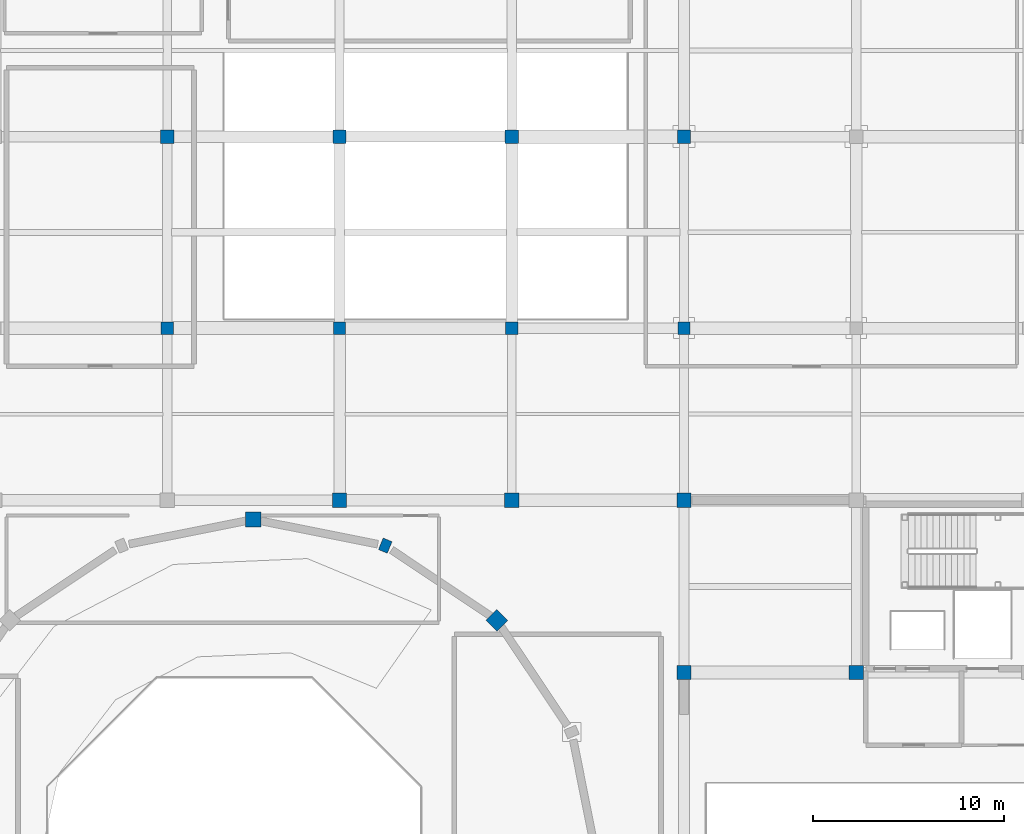
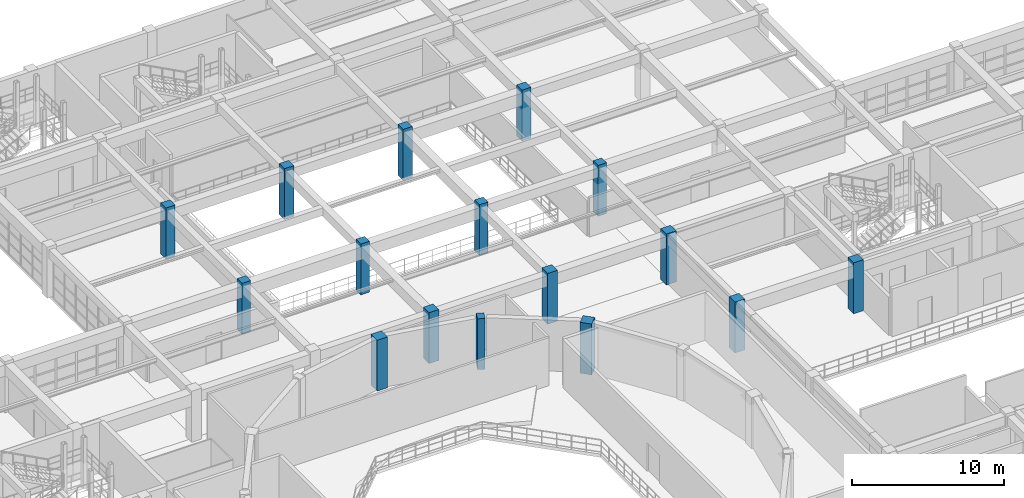
# One storey, part 11 of 130: 16 columns.
"""IFC4 building model written with IfcOpenShell, lengths in metres."""

from ifc_helpers import new_model, si_unit, direction, frame, origin, origin_2d, place, context, subcontext, project, spatial, rectangle, extrude, material, material_profile, profile_set, type_object, element, save


model = new_model("IFC4")

# Units and contexts
model_context = context("Model", 3, precision=1e-05, world=origin(), true_north=direction((0.0, 1.0)))
body_context = subcontext(model_context, "Body", "Model", "MODEL_VIEW")
ifc_project = project(units=[si_unit("LENGTHUNIT", "METRE"), si_unit("AREAUNIT", "SQUARE_METRE"), si_unit("VOLUMEUNIT", "CUBIC_METRE"), si_unit("PLANEANGLEUNIT", "RADIAN"), si_unit("MASSUNIT", "GRAM", prefix="KILO")], contexts=[model_context])

# Site, building, storey
site_placement = place(None, origin())
site = spatial("IfcSite", under=ifc_project, at=site_placement, CompositionType="ELEMENT")
building_placement = place(site_placement, origin())
building = spatial("IfcBuilding", under=site, at=building_placement, Name="Miravela Opera House", CompositionType="ELEMENT")
storey_placement = place(building_placement, frame((0.0, 0.0, 9.52001953125)))
storey = spatial("IfcBuildingStorey", under=building, at=storey_placement, Name="L02", CompositionType="ELEMENT", Elevation=9.52001953125)

# Columns
ifc_material_1 = material(Name="Concrete C35/45", Category="concrete")
ifc_material_profile_1 = material_profile(ifc_material_1, rectangle(XDim=0.64990234375, YDim=0.64990234375, at=origin_2d()), Name="RC-COL-650X650")
ifc_profile_set_1 = profile_set([ifc_material_profile_1])
column_type_1 = type_object("IfcColumnType", Name="STR-COL-RC650", PredefinedType="COLUMN", material=ifc_profile_set_1)
for number, where, z_axis, x_axis, name in (
    (1, (81.0, 84.0, 0.0), (0.0, 0.0, 1.0), (1.0, 0.0, 0.0), "Column C-10J (L02)"),
    (2, (90.0, 84.0, 0.0), (0.0, 0.0, 1.0), (1.0, 0.0, 0.0), "Column C-11J (L02)"),
    (3, (99.0, 84.0, 0.0), (0.0, 0.0, 1.0), (1.0, 0.0, 0.0), "Column C-12J (L02)"),
    (4, (72.0, 84.0, 0.0), (0.0, 0.0, 1.0), (1.0, 0.0, 0.0), "Column C-9J (L02)"),
):
    element("IfcColumn", number, at=place(storey_placement, frame(where, z_axis=z_axis, x_axis=x_axis)), inside=storey, type_object=column_type_1, Name=name, PredefinedType="COLUMN", context=body_context, shape_type="SweptSolid", body=[
        extrude(rectangle(XDim=0.64990234375, YDim=0.64990234375, at=origin_2d()), origin(), (0.0, 0.0, 1.0), 4.080078125),
    ])
ifc_material_profile_2 = material_profile(ifc_material_1, rectangle(XDim=0.699951171875, YDim=0.699951171875, at=origin_2d()), Name="RC-COL-700X700")
ifc_profile_set_2 = profile_set([ifc_material_profile_2])
column_type_2 = type_object("IfcColumnType", Name="STR-COL-RC700", PredefinedType="COLUMN", material=ifc_profile_set_2)
for number, where, z_axis, x_axis, name in (
    (5, (81.0, 94.0, 0.0), (0.0, 0.0, 1.0), (1.0, 0.0, 0.0), "Column C-10K (L02)"),
    (6, (90.0, 94.0, 0.0), (0.0, 0.0, 1.0), (1.0, 0.0, 0.0), "Column C-11K (L02)"),
    (7, (99.0, 94.0, 0.0), (0.0, 0.0, 1.0), (1.0, 0.0, 0.0), "Column C-12K (L02)"),
    (8, (72.0, 94.0, 0.0), (0.0, 0.0, 1.0), (1.0, 0.0, 0.0), "Column C-9K (L02)"),
):
    element("IfcColumn", number, at=place(storey_placement, frame(where, z_axis=z_axis, x_axis=x_axis)), inside=storey, type_object=column_type_2, Name=name, PredefinedType="COLUMN", context=body_context, shape_type="SweptSolid", body=[
        extrude(rectangle(XDim=0.699951171875, YDim=0.699951171875, at=origin_2d()), origin(), (0.0, 0.0, 1.0), 4.080078125),
    ])
ifc_material_profile_3 = material_profile(ifc_material_1, rectangle(XDim=0.75, YDim=0.75, at=origin_2d()), Name="RC-COL-750X750")
ifc_profile_set_3 = profile_set([ifc_material_profile_3])
column_type_3 = type_object("IfcColumnType", Name="STR-COL-RC750", PredefinedType="COLUMN", material=ifc_profile_set_3)
for number, where, z_axis, x_axis, name in (
    (9, (81.0, 75.0, 0.0), (0.0, 0.0, 1.0), (1.0, 0.0, 0.0), "Column C-10I (L02)"),
    (10, (90.0, 75.0, 0.0), (0.0, 0.0, 1.0), (1.0, 0.0, 0.0), "Column C-11I (L02)"),
    (11, (99.0, 66.0, 0.0), (0.0, 0.0, 1.0), (1.0, 0.0, 0.0), "Column C-12H (L02)"),
    (12, (99.0, 75.0, 0.0), (0.0, 0.0, 1.0), (1.0, 0.0, 0.0), "Column C-12I (L02)"),
    (13, (108.0, 66.0, 0.0), (0.0, 0.0, 1.0), (1.0, 0.0, 0.0), "Column C-13H (L02)"),
):
    element("IfcColumn", number, at=place(storey_placement, frame(where, z_axis=z_axis, x_axis=x_axis)), inside=storey, type_object=column_type_3, Name=name, PredefinedType="COLUMN", context=body_context, shape_type="SweptSolid", body=[
        extrude(rectangle(XDim=0.75, YDim=0.75, at=origin_2d()), origin(), (0.0, 0.0, 1.0), 4.080078125),
    ])
ifc_material_profile_4 = material_profile(ifc_material_1, rectangle(XDim=0.64990234375, YDim=0.5, at=origin_2d()), Name="RC-PIL-650X500")
ifc_profile_set_4 = profile_set([ifc_material_profile_4])
column_type_4 = type_object("IfcColumnType", Name="STR-PIL-RC650X500", PredefinedType="PILASTER", material=ifc_profile_set_4)
column_placement = place(storey_placement, frame((83.38818359375, 72.6298828125, 0.0), z_axis=(0.0, 0.0, 1.0), x_axis=(0.382683432365, 0.923879532511, 0.0)))
element("IfcColumn", 14, at=column_placement, inside=storey, type_object=column_type_4, Name="Auditorium Drum Column DC-04 (L02)", PredefinedType="PILASTER", context=body_context, shape_type="SweptSolid", body=[
    extrude(rectangle(XDim=0.64990234375, YDim=0.5, at=origin_2d()), origin(), (0.0, 0.0, 1.0), 4.080078125),
])
ifc_material_2 = material(Name="Concrete C40/50", Category="concrete")
ifc_material_profile_5 = material_profile(ifc_material_2, rectangle(XDim=0.800048828125, YDim=0.800048828125, at=origin_2d()), Name="RC-COL-800X800")
ifc_profile_set_5 = profile_set([ifc_material_profile_5])
column_type_5 = type_object("IfcColumnType", Name="STR-PIL-RC800", PredefinedType="PILASTER", material=ifc_profile_set_5)
for number, where, z_axis, x_axis, name in (
    (15, (89.227783203125, 68.727783203125, 0.0), (0.0, 0.0, 1.0), (0.707106781187, 0.707106781187, 0.0), "Auditorium Drum Column DC-03 (L02)"),
    (16, (76.5, 74.0, 0.0), (0.0, 0.0, 1.0), (0.0, 1.0, 0.0), "Auditorium Drum Column DC-05 (L02)"),
):
    element("IfcColumn", number, at=place(storey_placement, frame(where, z_axis=z_axis, x_axis=x_axis)), inside=storey, type_object=column_type_5, Name=name, PredefinedType="PILASTER", context=body_context, shape_type="SweptSolid", body=[
        extrude(rectangle(XDim=0.800048828125, YDim=0.800048828125, at=origin_2d()), origin(), (0.0, 0.0, 1.0), 4.080078125),
    ])

save(model, "model.ifc")
